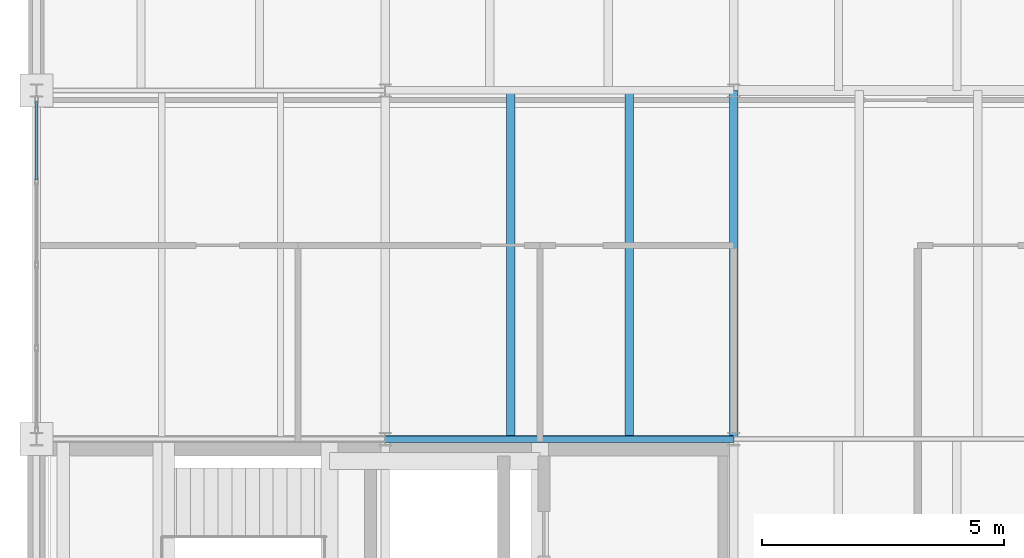
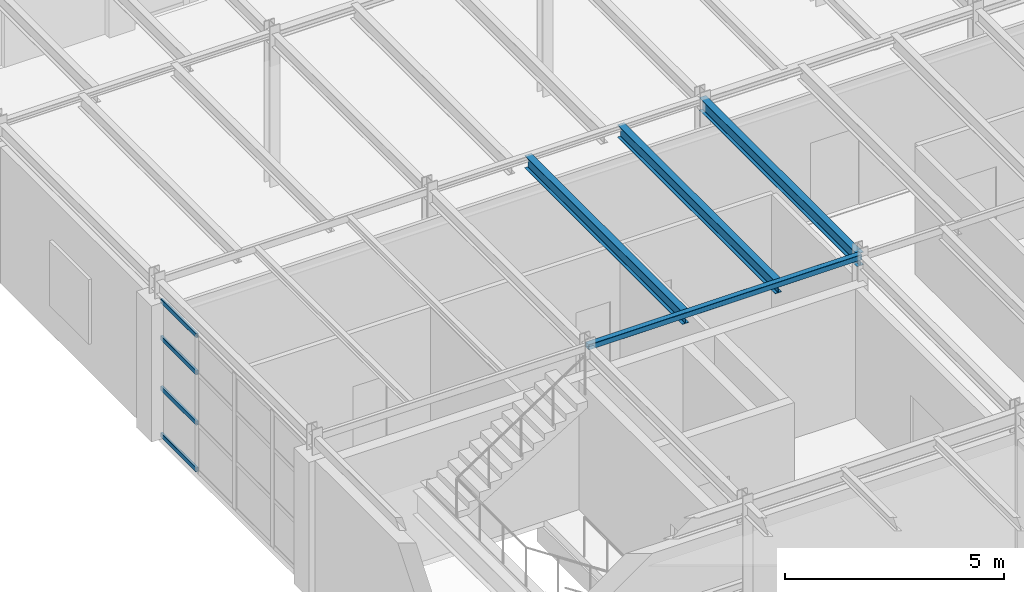
# One storey, part 41 of 101: 4 beams, 4 members, 1 element without a shape of its own.
"""IFC4 building model written with IfcOpenShell, lengths in metres."""

from ifc_helpers import new_model, si_unit, direction, frame, origin, origin_2d, place, context, subcontext, project, spatial, hollow_rectangle, i_section, extrude, material, layer, layer_set, material_profile, profile_set, type_object, element, aggregate, save


model = new_model("IFC4")

# Units and contexts
model_context = context("Model", 3, precision=1e-05, world=origin(), true_north=direction((0.0, 1.0)))
body_context = subcontext(model_context, "Body", "Model", "MODEL_VIEW")
ifc_project = project(units=[si_unit("LENGTHUNIT", "METRE"), si_unit("AREAUNIT", "SQUARE_METRE"), si_unit("VOLUMEUNIT", "CUBIC_METRE"), si_unit("PLANEANGLEUNIT", "RADIAN"), si_unit("MASSUNIT", "GRAM", prefix="KILO")], contexts=[model_context])

# Site, building, storey
site_placement = place(None, origin())
site = spatial("IfcSite", under=ifc_project, at=site_placement, CompositionType="ELEMENT")
building_placement = place(site_placement, origin())
building = spatial("IfcBuilding", under=site, at=building_placement, Name="Kemerveld Promenade Tramway Depot", CompositionType="ELEMENT")
storey_placement = place(building_placement, frame((0.0, 0.0, 9.89990234375)))
storey = spatial("IfcBuildingStorey", under=building, at=storey_placement, Name="L02", CompositionType="ELEMENT", Elevation=9.89990234375)

# Beams
ifc_material_1 = material(Name="Steel S355", Category="steel")
ifc_material_profile_1 = material_profile(ifc_material_1, i_section(OverallWidth=0.172119140625, OverallDepth=0.35791015625, WebThickness=0.008056640625, FlangeThickness=0.012939453125, FilletRadius=0.01025390625, at=origin_2d()), Name="356x171x57 UB")
ifc_profile_set_1 = profile_set([ifc_material_profile_1], Name="Steel S355")
beam_type_1 = type_object("IfcBeamType", Name="BM-G08", PredefinedType="BEAM", material=ifc_profile_set_1)
beam_1_placement = place(storey_placement, frame((14.39990234375, 50.39990234375, 4.10107421875), z_axis=(0.0, 1.0, 0.0), x_axis=(-1.0, 0.0, 0.0)))
element("IfcBeam", 1, at=beam_1_placement, inside=storey, type_object=beam_type_1, Name="BMY-L02-03-H-J", PredefinedType="BEAM", context=body_context, shape_type="SweptSolid", body=[
    extrude(i_section(OverallWidth=0.172119140625, OverallDepth=0.35791015625, WebThickness=0.008056640625, FlangeThickness=0.012939453125, FilletRadius=0.01025390625, at=origin_2d()), origin(), (0.0, 0.0, 1.0), 7.2001953125),
])
ifc_material_profile_2 = material_profile(ifc_material_1, i_section(OverallWidth=0.172119140625, OverallDepth=0.35791015625, WebThickness=0.008056640625, FlangeThickness=0.012939453125, FilletRadius=0.01025390625, at=origin_2d()), Name="356x171x57 UB")
ifc_profile_set_2 = profile_set([ifc_material_profile_2], Name="Steel S355")
beam_type_2 = type_object("IfcBeamType", Name="BM-J04", PredefinedType="JOIST", material=ifc_profile_set_2)
for number, where, z_axis, x_axis, name in (
    (2, (9.7919921875, 50.39990234375, 4.10107421875), (0.0, 1.0, 0.0), (-1.0, 0.0, 0.0), "JST-L02-02-H-1"),
    (3, (12.239990234375, 50.39990234375, 4.10107421875), (0.0, 1.0, 0.0), (-1.0, 0.0, 0.0), "JST-L02-02-H-2"),
):
    element("IfcBeam", number, at=place(storey_placement, frame(where, z_axis=z_axis, x_axis=x_axis)), inside=storey, type_object=beam_type_2, Name=name, PredefinedType="JOIST", context=body_context, shape_type="SweptSolid", body=[
        extrude(i_section(OverallWidth=0.172119140625, OverallDepth=0.35791015625, WebThickness=0.008056640625, FlangeThickness=0.012939453125, FilletRadius=0.01025390625, at=origin_2d()), origin(), (0.0, 0.0, 1.0), 7.2001953125),
    ])
ifc_material_profile_3 = material_profile(ifc_material_1, hollow_rectangle(XDim=0.14990234375, YDim=0.14990234375, WallThickness=0.008056640625, InnerFilletRadius=0.00390625, OuterFilletRadius=0.011962890625, at=origin_2d()), Name="150x150x8.0 SHS")
ifc_profile_set_3 = profile_set([ifc_material_profile_3], Name="Steel S355")
beam_type_3 = type_object("IfcBeamType", Name="BM-SP4", PredefinedType="SPANDREL", material=ifc_profile_set_3)
beam_2_placement = place(storey_placement, frame((7.199951171875, 50.39990234375, 4.205078125), z_axis=(1.0, 0.0, 0.0), x_axis=(0.0, 1.0, 0.0)))
element("IfcBeam", 4, at=beam_2_placement, inside=storey, type_object=beam_type_3, Name="BMX-L02-02-03-H", PredefinedType="SPANDREL", context=body_context, shape_type="SweptSolid", body=[
    extrude(hollow_rectangle(XDim=0.14990234375, YDim=0.14990234375, WallThickness=0.008056640625, InnerFilletRadius=0.00390625, OuterFilletRadius=0.011962890625, at=origin_2d()), origin(), (0.0, 0.0, 1.0), 7.199951171875),
])

# Curtain wall, members
ifc_material_2 = material(Name="Bronze anodised aluminium and solar glass", Category="aluminium")
ifc_layer = layer(ifc_material_2, 0.159912109375)
ifc_layer_set = layer_set([ifc_layer], Name="CW-SYS-11")
curtain_wall_type = type_object("IfcCurtainWallType", Name="CW-SYS-11", PredefinedType="USERDEFINED", material=ifc_layer_set)
curtain_wall_placement = place(storey_placement, origin())
curtain_wall = element("IfcCurtainWall", 5, at=curtain_wall_placement, inside=storey, type_object=curtain_wall_type, Name="CW-L02-V5W-08", ObjectType="GLAZED_CURTAIN_WALL", PredefinedType="USERDEFINED")
ifc_material_3 = material(Name="Bronze anodised aluminium", Category="aluminium")
ifc_material_profile_4 = material_profile(ifc_material_3, hollow_rectangle(XDim=0.06005859375, YDim=0.1201171875, WallThickness=0.00390625, InnerFilletRadius=0.001953125, OuterFilletRadius=0.00390625, at=origin_2d()), Name="CW-TRN-120x60")
ifc_profile_set_4 = profile_set([ifc_material_profile_4], Name="Bronze anodised aluminium")
member_type = type_object("IfcMemberType", Name="CW-TRN-A", PredefinedType="USERDEFINED", material=ifc_profile_set_4)
member_1_placement = place(storey_placement, frame((0.0, 55.75341796875, 0.030029296875), z_axis=(0.0, 1.0, 0.0), x_axis=(-1.0, 0.0, 0.0)))
member_1 = element("IfcMember", 6, at=member_1_placement, type_object=member_type, Name="CW11 transom 4.1", ObjectType="TRANSOM", PredefinedType="USERDEFINED", context=body_context, shape_type="SweptSolid", body=[
    extrude(hollow_rectangle(XDim=0.06005859375, YDim=0.1201171875, WallThickness=0.00390625, InnerFilletRadius=0.001953125, OuterFilletRadius=0.00390625, at=origin_2d()), origin(), (0.0, 0.0, 1.0), 1.62353515625),
])
member_2_placement = place(storey_placement, frame((0.0, 55.75341796875, 1.330078125), z_axis=(0.0, 1.0, 0.0), x_axis=(-1.0, 0.0, 0.0)))
member_2 = element("IfcMember", 7, at=member_2_placement, type_object=member_type, Name="CW11 transom 4.2", ObjectType="TRANSOM", PredefinedType="USERDEFINED", context=body_context, shape_type="SweptSolid", body=[
    extrude(hollow_rectangle(XDim=0.06005859375, YDim=0.1201171875, WallThickness=0.00390625, InnerFilletRadius=0.001953125, OuterFilletRadius=0.00390625, at=origin_2d()), origin(), (0.0, 0.0, 1.0), 1.62353515625),
])
member_3_placement = place(storey_placement, frame((0.0, 55.75341796875, 2.736083984375), z_axis=(0.0, 1.0, 0.0), x_axis=(-1.0, 0.0, 0.0)))
member_3 = element("IfcMember", 8, at=member_3_placement, type_object=member_type, Name="CW11 transom 4.3", ObjectType="TRANSOM", PredefinedType="USERDEFINED", context=body_context, shape_type="SweptSolid", body=[
    extrude(hollow_rectangle(XDim=0.06005859375, YDim=0.1201171875, WallThickness=0.00390625, InnerFilletRadius=0.001953125, OuterFilletRadius=0.00390625, at=origin_2d()), origin(), (0.0, 0.0, 1.0), 1.62353515625),
])
member_4_placement = place(storey_placement, frame((0.0, 55.75341796875, 3.77001953125), z_axis=(0.0, 1.0, 0.0), x_axis=(-1.0, 0.0, 0.0)))
member_4 = element("IfcMember", 9, at=member_4_placement, type_object=member_type, Name="CW11 transom 4.4", ObjectType="TRANSOM", PredefinedType="USERDEFINED", context=body_context, shape_type="SweptSolid", body=[
    extrude(hollow_rectangle(XDim=0.06005859375, YDim=0.1201171875, WallThickness=0.00390625, InnerFilletRadius=0.001953125, OuterFilletRadius=0.00390625, at=origin_2d()), origin(), (0.0, 0.0, 1.0), 1.62353515625),
])
aggregate(curtain_wall, [member_1, member_2, member_3, member_4])

save(model, "model.ifc")
